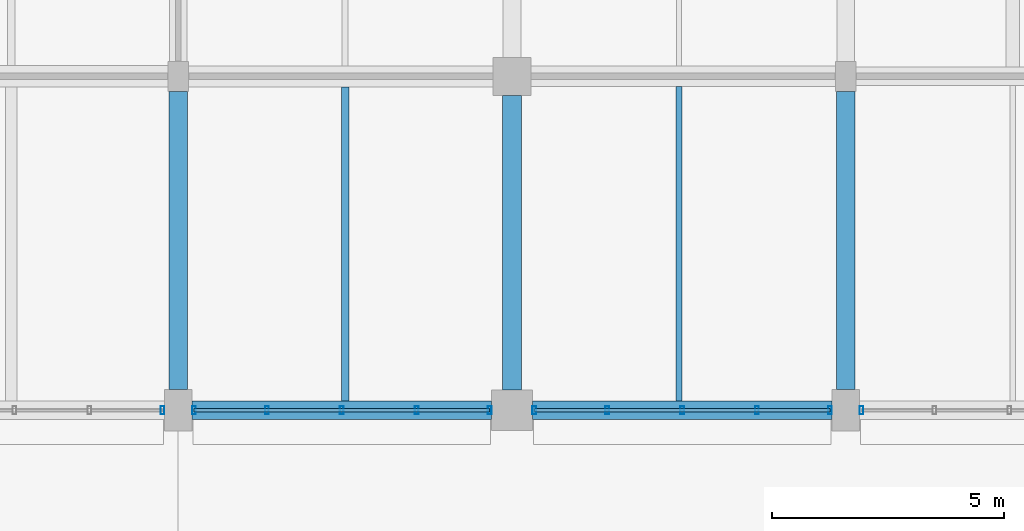
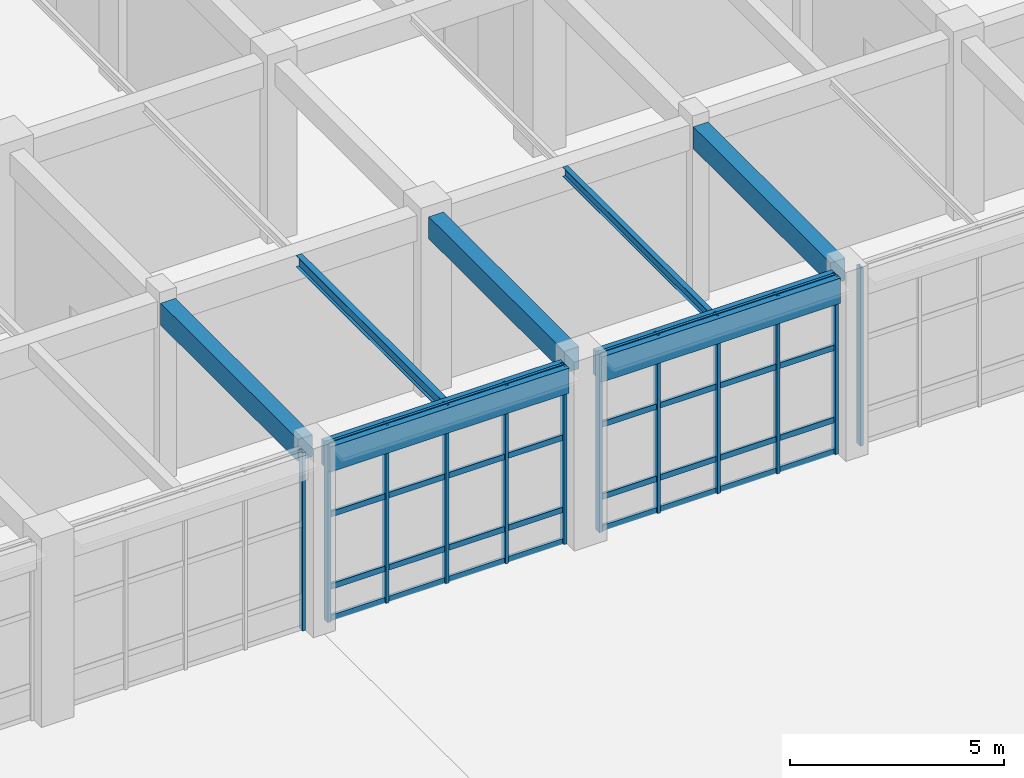
# One storey, part 83 of 160: 20 members, 7 beams, 4 elements without a shape of their own.
"""IFC4 building model written with IfcOpenShell, lengths in metres."""

from ifc_helpers import new_model, si_unit, direction, frame, origin, origin_2d, place, context, subcontext, project, spatial, rectangle, hollow_rectangle, i_section, extrude, material, material_profile, profile_set, type_object, element, aggregate, save


model = new_model("IFC4")

# Units and contexts
model_context = context("Model", 3, precision=1e-05, world=origin(), true_north=direction((0.0, 1.0)))
body_context = subcontext(model_context, "Body", "Model", "MODEL_VIEW")
ifc_project = project(units=[si_unit("LENGTHUNIT", "METRE"), si_unit("AREAUNIT", "SQUARE_METRE"), si_unit("VOLUMEUNIT", "CUBIC_METRE"), si_unit("PLANEANGLEUNIT", "RADIAN"), si_unit("MASSUNIT", "GRAM", prefix="KILO")], contexts=[model_context])

# Site, building, storey
site_placement = place(None, origin())
site = spatial("IfcSite", under=ifc_project, at=site_placement, CompositionType="ELEMENT")
building_placement = place(site_placement, origin())
building = spatial("IfcBuilding", under=site, at=building_placement, Name="Thalmaran Polytechnic", CompositionType="ELEMENT")
storey_placement = place(building_placement, origin())
storey = spatial("IfcBuildingStorey", under=building, at=storey_placement, Name="L00", CompositionType="ELEMENT", Elevation=0.0)

# Beams
ifc_material_1 = material(Name="Concrete C40/50", Category="concrete")
ifc_material_profile_1 = material_profile(ifc_material_1, rectangle(XDim=0.39990234375, YDim=0.6298828125, at=origin_2d()), Name="RC 400x630")
ifc_profile_set_1 = profile_set([ifc_material_profile_1], Name="Concrete C40/50")
beam_type_1 = type_object("IfcBeamType", Name="BM-RC07", PredefinedType="BEAM", material=ifc_profile_set_1)
beam_1_placement = place(storey_placement, frame((93.60009765625, 94.050048828125, 4.77490234375), z_axis=(0.0, 1.0, 0.0), x_axis=(-1.0, 0.0, 0.0)))
element("IfcBeam", 1, at=beam_1_placement, inside=storey, type_object=beam_type_1, Name="Grid Beam B07 L00 Y(13,13)", PredefinedType="BEAM", context=body_context, shape_type="SweptSolid", body=[
    extrude(rectangle(XDim=0.39990234375, YDim=0.6298828125, at=origin_2d()), origin(), (0.0, 0.0, 1.0), 6.425048828125),
])
beam_2_placement = place(storey_placement, frame((100.800048828125, 94.0400390625, 4.77490234375), z_axis=(0.0, 1.0, 0.0), x_axis=(-1.0, 0.0, 0.0)))
element("IfcBeam", 2, at=beam_2_placement, inside=storey, type_object=beam_type_1, Name="Grid Beam B07 L00 Y(14,13)", PredefinedType="BEAM", context=body_context, shape_type="SweptSolid", body=[
    extrude(rectangle(XDim=0.39990234375, YDim=0.6298828125, at=origin_2d()), origin(), (0.0, 0.0, 1.0), 6.349853515625),
])
beam_3_placement = place(storey_placement, frame((108.0, 94.050048828125, 4.77490234375), z_axis=(0.0, 1.0, 0.0), x_axis=(-1.0, 0.0, 0.0)))
element("IfcBeam", 3, at=beam_3_placement, inside=storey, type_object=beam_type_1, Name="Grid Beam B07 L00 Y(15,13)", PredefinedType="BEAM", context=body_context, shape_type="SweptSolid", body=[
    extrude(rectangle(XDim=0.39990234375, YDim=0.6298828125, at=origin_2d()), origin(), (0.0, 0.0, 1.0), 6.425048828125),
])
ifc_material_2 = material(Name="Steel S355", Category="steel")
ifc_material_profile_2 = material_profile(ifc_material_2, i_section(OverallWidth=0.159912109375, OverallDepth=0.330078125, WebThickness=0.007568359375, FlangeThickness=0.011474609375, at=origin_2d()), Name="IPE 330")
ifc_profile_set_2 = profile_set([ifc_material_profile_2], Name="Steel S355")
beam_type_2 = type_object("IfcBeamType", Name="BM-SJ02", PredefinedType="JOIST", material=ifc_profile_set_2)
beam_4_placement = place(storey_placement, frame((97.199951171875, 93.800048828125, 4.925048828125), z_axis=(0.0, 1.0, 0.0), x_axis=(-1.0, 0.0, 0.0)))
element("IfcBeam", 4, at=beam_4_placement, inside=storey, type_object=beam_type_2, Name="Secondary Floor Rib SJ02 L00 (13,13)", PredefinedType="JOIST", context=body_context, shape_type="SweptSolid", body=[
    extrude(i_section(OverallWidth=0.159912109375, OverallDepth=0.330078125, WebThickness=0.007568359375, FlangeThickness=0.011474609375, at=origin_2d()), origin(), (0.0, 0.0, 1.0), 6.77490234375),
])
ifc_material_profile_3 = material_profile(ifc_material_2, i_section(OverallWidth=0.135009765625, OverallDepth=0.27001953125, WebThickness=0.006591796875, FlangeThickness=0.01025390625, at=origin_2d()), Name="IPE 270")
ifc_profile_set_3 = profile_set([ifc_material_profile_3], Name="Steel S355")
beam_type_3 = type_object("IfcBeamType", Name="BM-SJ03", PredefinedType="JOIST", material=ifc_profile_set_3)
beam_5_placement = place(storey_placement, frame((104.39990234375, 93.800048828125, 4.955078125), z_axis=(0.0, 1.0, 0.0), x_axis=(-1.0, 0.0, 0.0)))
element("IfcBeam", 5, at=beam_5_placement, inside=storey, type_object=beam_type_3, Name="Secondary Floor Rib SJ03 L00 (14,13)", PredefinedType="JOIST", context=body_context, shape_type="SweptSolid", body=[
    extrude(i_section(OverallWidth=0.135009765625, OverallDepth=0.27001953125, WebThickness=0.006591796875, FlangeThickness=0.01025390625, at=origin_2d()), origin(), (0.0, 0.0, 1.0), 6.780029296875),
])
ifc_material_profile_4 = material_profile(ifc_material_1, rectangle(XDim=0.39990234375, YDim=0.719970703125, at=origin_2d()), Name="RC 400x720")
ifc_profile_set_4 = profile_set([ifc_material_profile_4], Name="Concrete C40/50")
beam_type_4 = type_object("IfcBeamType", Name="BM-SP01", PredefinedType="SPANDREL", material=ifc_profile_set_4)
beam_6_placement = place(storey_placement, frame((93.89990234375, 93.60009765625, 4.72998046875), z_axis=(1.0, 0.0, 0.0), x_axis=(0.0, 1.0, 0.0)))
element("IfcBeam", 6, at=beam_6_placement, inside=storey, type_object=beam_type_4, Name="Grid Beam SP01 L00 X(13,13)", PredefinedType="SPANDREL", context=body_context, shape_type="SweptSolid", body=[
    extrude(rectangle(XDim=0.39990234375, YDim=0.719970703125, at=origin_2d()), origin(), (0.0, 0.0, 1.0), 6.460205078125),
])
beam_7_placement = place(storey_placement, frame((101.239990234375, 93.60009765625, 4.72998046875), z_axis=(1.0, 0.0, 0.0), x_axis=(0.0, 1.0, 0.0)))
element("IfcBeam", 7, at=beam_7_placement, inside=storey, type_object=beam_type_4, Name="Grid Beam SP01 L00 X(14,13)", PredefinedType="SPANDREL", context=body_context, shape_type="SweptSolid", body=[
    extrude(rectangle(XDim=0.39990234375, YDim=0.719970703125, at=origin_2d()), origin(), (0.0, 0.0, 1.0), 6.4599609375),
])

# Curtain wall, member
ifc_material_3 = material(Name="Aluminium 6063-T6", Category="aluminium")
curtain_wall_type = type_object("IfcCurtainWallType", Name="CW-UC01", PredefinedType="USERDEFINED", material=ifc_material_3)
curtain_wall_1_placement = place(storey_placement, origin())
curtain_wall_1 = element("IfcCurtainWall", 8, at=curtain_wall_1_placement, inside=storey, type_object=curtain_wall_type, Name="Curtain Wall CW-L00-074", ObjectType="UNITISED CURTAIN WALL", PredefinedType="USERDEFINED")
ifc_material_profile_5 = material_profile(ifc_material_3, hollow_rectangle(XDim=0.080078125, YDim=0.179931640625, WallThickness=0.0048828125, at=origin_2d()), Name="RHS 180x80x5.0")
ifc_profile_set_5 = profile_set([ifc_material_profile_5], Name="Aluminium 6063-T6")
member_type_1 = type_object("IfcMemberType", Name="CW-MUL1", PredefinedType="MULLION", material=ifc_profile_set_5)
member_1_placement = place(storey_placement, frame((108.340087890625, 93.60009765625, 0.0), z_axis=(0.0, 0.0, 1.0), x_axis=(1.0, 0.0, 0.0)))
member_1 = element("IfcMember", 9, at=member_1_placement, type_object=member_type_1, Name="CW-L00-074 Mullion 5", PredefinedType="MULLION", context=body_context, shape_type="SweptSolid", body=[
    extrude(hollow_rectangle(XDim=0.080078125, YDim=0.179931640625, WallThickness=0.0048828125, at=origin_2d()), origin(), (0.0, 0.0, 1.0), 5.090087890625),
])
aggregate(curtain_wall_1, [member_1])

# Curtain wall, members
curtain_wall_2_placement = place(storey_placement, origin())
curtain_wall_2 = element("IfcCurtainWall", 10, at=curtain_wall_2_placement, inside=storey, type_object=curtain_wall_type, Name="Curtain Wall CW-L00-075", ObjectType="UNITISED CURTAIN WALL", PredefinedType="USERDEFINED")
member_2_placement = place(storey_placement, frame((107.659912109375, 93.60009765625, 0.0), z_axis=(0.0, 0.0, 1.0), x_axis=(1.0, 0.0, 0.0)))
member_2 = element("IfcMember", 11, at=member_2_placement, type_object=member_type_1, Name="CW-L00-075 Mullion 1", PredefinedType="MULLION", context=body_context, shape_type="SweptSolid", body=[
    extrude(hollow_rectangle(XDim=0.080078125, YDim=0.179931640625, WallThickness=0.0048828125, at=origin_2d()), origin(), (0.0, 0.0, 1.0), 5.090087890625),
])
member_3_placement = place(storey_placement, frame((106.0849609375, 93.60009765625, 0.0), z_axis=(0.0, 0.0, 1.0), x_axis=(1.0, 0.0, 0.0)))
member_3 = element("IfcMember", 12, at=member_3_placement, type_object=member_type_1, Name="CW-L00-075 Mullion 2", PredefinedType="MULLION", context=body_context, shape_type="SweptSolid", body=[
    extrude(hollow_rectangle(XDim=0.080078125, YDim=0.179931640625, WallThickness=0.0048828125, at=origin_2d()), origin(), (0.0, 0.0, 1.0), 5.090087890625),
])
member_4_placement = place(storey_placement, frame((104.469970703125, 93.60009765625, 0.0), z_axis=(0.0, 0.0, 1.0), x_axis=(1.0, 0.0, 0.0)))
member_4 = element("IfcMember", 13, at=member_4_placement, type_object=member_type_1, Name="CW-L00-075 Mullion 3", PredefinedType="MULLION", context=body_context, shape_type="SweptSolid", body=[
    extrude(hollow_rectangle(XDim=0.080078125, YDim=0.179931640625, WallThickness=0.0048828125, at=origin_2d()), origin(), (0.0, 0.0, 1.0), 5.090087890625),
])
member_5_placement = place(storey_placement, frame((102.85498046875, 93.60009765625, 0.0), z_axis=(0.0, 0.0, 1.0), x_axis=(1.0, 0.0, 0.0)))
member_5 = element("IfcMember", 14, at=member_5_placement, type_object=member_type_1, Name="CW-L00-075 Mullion 4", PredefinedType="MULLION", context=body_context, shape_type="SweptSolid", body=[
    extrude(hollow_rectangle(XDim=0.080078125, YDim=0.179931640625, WallThickness=0.0048828125, at=origin_2d()), origin(), (0.0, 0.0, 1.0), 5.090087890625),
])
member_6_placement = place(storey_placement, frame((101.280029296875, 93.60009765625, 0.0), z_axis=(0.0, 0.0, 1.0), x_axis=(1.0, 0.0, 0.0)))
member_6 = element("IfcMember", 15, at=member_6_placement, type_object=member_type_1, Name="CW-L00-075 Mullion 5", PredefinedType="MULLION", context=body_context, shape_type="SweptSolid", body=[
    extrude(hollow_rectangle(XDim=0.080078125, YDim=0.179931640625, WallThickness=0.0048828125, at=origin_2d()), origin(), (0.0, 0.0, 1.0), 5.090087890625),
])

curtain_wall_3_placement = place(storey_placement, origin())
curtain_wall_3 = element("IfcCurtainWall", 16, at=curtain_wall_3_placement, inside=storey, type_object=curtain_wall_type, Name="Curtain Wall CW-L00-076", ObjectType="UNITISED CURTAIN WALL", PredefinedType="USERDEFINED")
member_7_placement = place(storey_placement, frame((100.320068359375, 93.60009765625, 0.0), z_axis=(0.0, 0.0, 1.0), x_axis=(1.0, 0.0, 0.0)))
member_7 = element("IfcMember", 17, at=member_7_placement, type_object=member_type_1, Name="CW-L00-076 Mullion 1", PredefinedType="MULLION", context=body_context, shape_type="SweptSolid", body=[
    extrude(hollow_rectangle(XDim=0.080078125, YDim=0.179931640625, WallThickness=0.0048828125, at=origin_2d()), origin(), (0.0, 0.0, 1.0), 5.090087890625),
])
member_8_placement = place(storey_placement, frame((98.7451171875, 93.60009765625, 0.0), z_axis=(0.0, 0.0, 1.0), x_axis=(1.0, 0.0, 0.0)))
member_8 = element("IfcMember", 18, at=member_8_placement, type_object=member_type_1, Name="CW-L00-076 Mullion 2", PredefinedType="MULLION", context=body_context, shape_type="SweptSolid", body=[
    extrude(hollow_rectangle(XDim=0.080078125, YDim=0.179931640625, WallThickness=0.0048828125, at=origin_2d()), origin(), (0.0, 0.0, 1.0), 5.090087890625),
])
member_9_placement = place(storey_placement, frame((97.1298828125, 93.60009765625, 0.0), z_axis=(0.0, 0.0, 1.0), x_axis=(1.0, 0.0, 0.0)))
member_9 = element("IfcMember", 19, at=member_9_placement, type_object=member_type_1, Name="CW-L00-076 Mullion 3", PredefinedType="MULLION", context=body_context, shape_type="SweptSolid", body=[
    extrude(hollow_rectangle(XDim=0.080078125, YDim=0.179931640625, WallThickness=0.0048828125, at=origin_2d()), origin(), (0.0, 0.0, 1.0), 5.090087890625),
])
member_10_placement = place(storey_placement, frame((95.514892578125, 93.60009765625, 0.0), z_axis=(0.0, 0.0, 1.0), x_axis=(1.0, 0.0, 0.0)))
member_10 = element("IfcMember", 20, at=member_10_placement, type_object=member_type_1, Name="CW-L00-076 Mullion 4", PredefinedType="MULLION", context=body_context, shape_type="SweptSolid", body=[
    extrude(hollow_rectangle(XDim=0.080078125, YDim=0.179931640625, WallThickness=0.0048828125, at=origin_2d()), origin(), (0.0, 0.0, 1.0), 5.090087890625),
])
member_11_placement = place(storey_placement, frame((93.93994140625, 93.60009765625, 0.0), z_axis=(0.0, 0.0, 1.0), x_axis=(1.0, 0.0, 0.0)))
member_11 = element("IfcMember", 21, at=member_11_placement, type_object=member_type_1, Name="CW-L00-076 Mullion 5", PredefinedType="MULLION", context=body_context, shape_type="SweptSolid", body=[
    extrude(hollow_rectangle(XDim=0.080078125, YDim=0.179931640625, WallThickness=0.0048828125, at=origin_2d()), origin(), (0.0, 0.0, 1.0), 5.090087890625),
])

# Curtain wall, member
curtain_wall_4_placement = place(storey_placement, origin())
curtain_wall_4 = element("IfcCurtainWall", 22, at=curtain_wall_4_placement, inside=storey, type_object=curtain_wall_type, Name="Curtain Wall CW-L00-077", ObjectType="UNITISED CURTAIN WALL", PredefinedType="USERDEFINED")
member_12_placement = place(storey_placement, frame((93.260009765625, 93.60009765625, 0.0), z_axis=(0.0, 0.0, 1.0), x_axis=(1.0, 0.0, 0.0)))
member_12 = element("IfcMember", 23, at=member_12_placement, type_object=member_type_1, Name="CW-L00-077 Mullion 1", PredefinedType="MULLION", context=body_context, shape_type="SweptSolid", body=[
    extrude(hollow_rectangle(XDim=0.080078125, YDim=0.179931640625, WallThickness=0.0048828125, at=origin_2d()), origin(), (0.0, 0.0, 1.0), 5.090087890625),
])
aggregate(curtain_wall_4, [member_12])

# Member
ifc_material_profile_6 = material_profile(ifc_material_3, hollow_rectangle(XDim=0.070068359375, YDim=0.159912109375, WallThickness=0.00390625, at=origin_2d()), Name="AL 160x70x4.0")
ifc_profile_set_6 = profile_set([ifc_material_profile_6], Name="Aluminium 6063-T6")
member_type_2 = type_object("IfcMemberType", Name="CW-TRN1", PredefinedType="USERDEFINED", material=ifc_profile_set_6)
member_13_placement = place(storey_placement, frame((107.659912109375, 93.60009765625, 0.06005859375), z_axis=(-1.0, 0.0, 0.0), x_axis=(0.0, -1.0, 0.0)))
member_13 = element("IfcMember", 24, at=member_13_placement, type_object=member_type_2, Name="CW-L00-075 Transom 1", ObjectType="TRANSOM", PredefinedType="USERDEFINED", context=body_context, shape_type="SweptSolid", body=[
    extrude(hollow_rectangle(XDim=0.070068359375, YDim=0.159912109375, WallThickness=0.00390625, at=origin_2d()), origin(), (0.0, 0.0, 1.0), 6.3798828125),
])

member_14_placement = place(storey_placement, frame((107.659912109375, 93.60009765625, 0.9599609375), z_axis=(-1.0, 0.0, 0.0), x_axis=(0.0, -1.0, 0.0)))
member_14 = element("IfcMember", 25, at=member_14_placement, type_object=member_type_2, Name="CW-L00-075 Transom 2", ObjectType="TRANSOM", PredefinedType="USERDEFINED", context=body_context, shape_type="SweptSolid", body=[
    extrude(hollow_rectangle(XDim=0.070068359375, YDim=0.159912109375, WallThickness=0.00390625, at=origin_2d()), origin(), (0.0, 0.0, 1.0), 6.3798828125),
])

member_15_placement = place(storey_placement, frame((107.659912109375, 93.60009765625, 3.02490234375), z_axis=(-1.0, 0.0, 0.0), x_axis=(0.0, -1.0, 0.0)))
member_15 = element("IfcMember", 26, at=member_15_placement, type_object=member_type_2, Name="CW-L00-075 Transom 3", ObjectType="TRANSOM", PredefinedType="USERDEFINED", context=body_context, shape_type="SweptSolid", body=[
    extrude(hollow_rectangle(XDim=0.070068359375, YDim=0.159912109375, WallThickness=0.00390625, at=origin_2d()), origin(), (0.0, 0.0, 1.0), 6.3798828125),
])

member_16_placement = place(storey_placement, frame((107.659912109375, 93.60009765625, 5.030029296875), z_axis=(-1.0, 0.0, 0.0), x_axis=(0.0, -1.0, 0.0)))
member_16 = element("IfcMember", 27, at=member_16_placement, type_object=member_type_2, Name="CW-L00-075 Transom 4", ObjectType="TRANSOM", PredefinedType="USERDEFINED", context=body_context, shape_type="SweptSolid", body=[
    extrude(hollow_rectangle(XDim=0.070068359375, YDim=0.159912109375, WallThickness=0.00390625, at=origin_2d()), origin(), (0.0, 0.0, 1.0), 6.3798828125),
])

aggregate(curtain_wall_2, [member_2, member_3, member_4, member_5, member_6, member_13, member_14, member_15, member_16])

member_17_placement = place(storey_placement, frame((100.320068359375, 93.60009765625, 0.06005859375), z_axis=(-1.0, 0.0, 0.0), x_axis=(0.0, -1.0, 0.0)))
member_17 = element("IfcMember", 28, at=member_17_placement, type_object=member_type_2, Name="CW-L00-076 Transom 1", ObjectType="TRANSOM", PredefinedType="USERDEFINED", context=body_context, shape_type="SweptSolid", body=[
    extrude(hollow_rectangle(XDim=0.070068359375, YDim=0.159912109375, WallThickness=0.00390625, at=origin_2d()), origin(), (0.0, 0.0, 1.0), 6.380126953125),
])

member_18_placement = place(storey_placement, frame((100.320068359375, 93.60009765625, 0.9599609375), z_axis=(-1.0, 0.0, 0.0), x_axis=(0.0, -1.0, 0.0)))
member_18 = element("IfcMember", 29, at=member_18_placement, type_object=member_type_2, Name="CW-L00-076 Transom 2", ObjectType="TRANSOM", PredefinedType="USERDEFINED", context=body_context, shape_type="SweptSolid", body=[
    extrude(hollow_rectangle(XDim=0.070068359375, YDim=0.159912109375, WallThickness=0.00390625, at=origin_2d()), origin(), (0.0, 0.0, 1.0), 6.380126953125),
])

member_19_placement = place(storey_placement, frame((100.320068359375, 93.60009765625, 3.02490234375), z_axis=(-1.0, 0.0, 0.0), x_axis=(0.0, -1.0, 0.0)))
member_19 = element("IfcMember", 30, at=member_19_placement, type_object=member_type_2, Name="CW-L00-076 Transom 3", ObjectType="TRANSOM", PredefinedType="USERDEFINED", context=body_context, shape_type="SweptSolid", body=[
    extrude(hollow_rectangle(XDim=0.070068359375, YDim=0.159912109375, WallThickness=0.00390625, at=origin_2d()), origin(), (0.0, 0.0, 1.0), 6.380126953125),
])

member_20_placement = place(storey_placement, frame((100.320068359375, 93.60009765625, 5.030029296875), z_axis=(-1.0, 0.0, 0.0), x_axis=(0.0, -1.0, 0.0)))
member_20 = element("IfcMember", 31, at=member_20_placement, type_object=member_type_2, Name="CW-L00-076 Transom 4", ObjectType="TRANSOM", PredefinedType="USERDEFINED", context=body_context, shape_type="SweptSolid", body=[
    extrude(hollow_rectangle(XDim=0.070068359375, YDim=0.159912109375, WallThickness=0.00390625, at=origin_2d()), origin(), (0.0, 0.0, 1.0), 6.380126953125),
])

aggregate(curtain_wall_3, [member_7, member_8, member_9, member_10, member_11, member_17, member_18, member_19, member_20])

save(model, "model.ifc")
